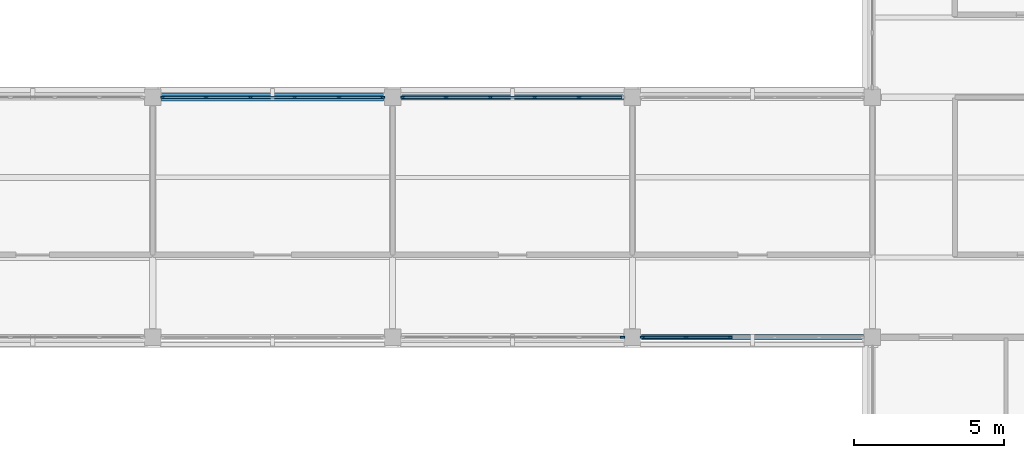
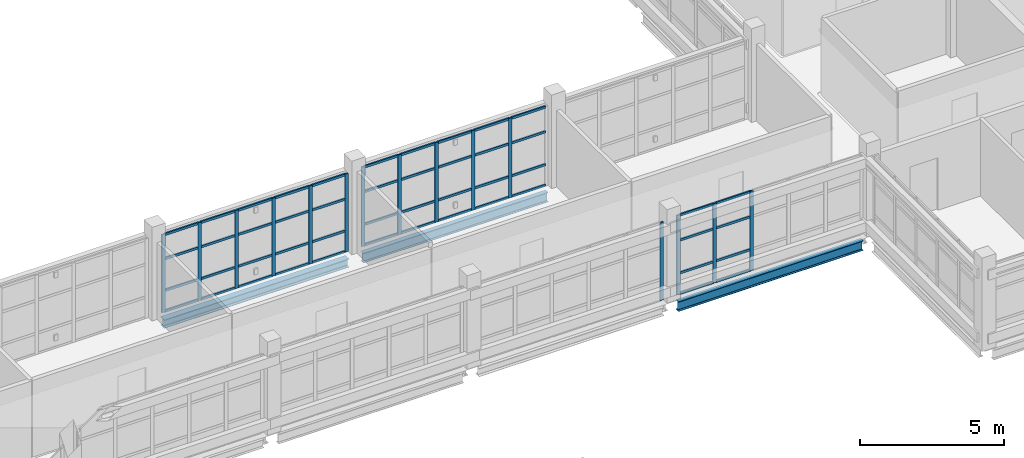
# One storey, part 15 of 107: 63 members, 3 beams, 4 elements without a shape of their own.
"""IFC4 building model written with IfcOpenShell, lengths in metres."""

from ifc_helpers import new_model, si_unit, derived_unit, direction, frame, origin, origin_2d, place, context, subcontext, project, spatial, rectangle, i_section, extrude, material, layer, layer_set, material_profile, profile_set, type_object, element, aggregate, save


model = new_model("IFC4")

# Units and contexts
model_context = context("Model", 3, precision=1e-05, world=origin(), true_north=direction((0.0, 1.0)))
body_context = subcontext(model_context, "Body", "Model", "MODEL_VIEW")
ifc_project = project(units=[si_unit("LENGTHUNIT", "METRE"), si_unit("AREAUNIT", "SQUARE_METRE"), si_unit("VOLUMEUNIT", "CUBIC_METRE"), si_unit("PLANEANGLEUNIT", "RADIAN"), si_unit("MASSUNIT", "GRAM", prefix="KILO"), derived_unit("THERMALTRANSMITTANCEUNIT", [(si_unit("MASSUNIT", "GRAM", prefix="KILO"), 1), (si_unit("TIMEUNIT", "SECOND"), -3), (si_unit("THERMODYNAMICTEMPERATUREUNIT", "KELVIN"), -1)])], contexts=[model_context])

# Site, building, storey
site_placement = place(None, origin())
site = spatial("IfcSite", under=ifc_project, at=site_placement, CompositionType="ELEMENT")
building_placement = place(site_placement, origin())
building = spatial("IfcBuilding", under=site, at=building_placement, Name="Veyamyaing Civic Hall", CompositionType="ELEMENT")
storey_placement = place(building_placement, frame((0.0, 0.0, 13.860107421875)))
storey = spatial("IfcBuildingStorey", under=building, at=storey_placement, Name="L03", CompositionType="ELEMENT", Elevation=13.860107421875)

# Beams
ifc_material_1 = material(Name="Steel ASTM A992", Category="steel")
ifc_material_profile_1 = material_profile(ifc_material_1, i_section(OverallWidth=0.179931640625, OverallDepth=0.4130859375, WebThickness=0.009765625, FlangeThickness=0.01611328125, FilletRadius=0.010009765625, at=origin_2d()), Name="W410X74")
ifc_profile_set_1 = profile_set([ifc_material_profile_1], Name="Steel ASTM A992")
beam_type_1 = type_object("IfcBeamType", Name="B-10", PredefinedType="SPANDREL", material=ifc_profile_set_1)
for number, where, z_axis, x_axis, name in (
    (1, (48.300048828125, 48.0, -0.461669921875), (1.0, 0.0, 0.0), (0.0, 1.0, 0.0), "Girder B-10 L03 Grid G 7-8"),
    (2, (40.300048828125, 56.0, -0.461669921875), (1.0, 0.0, 0.0), (0.0, 1.0, 0.0), "Girder B-10 L03 Grid H 6-7"),
):
    element("IfcBeam", number, at=place(storey_placement, frame(where, z_axis=z_axis, x_axis=x_axis)), inside=storey, type_object=beam_type_1, Name=name, PredefinedType="SPANDREL", context=body_context, shape_type="SweptSolid", body=[
        extrude(i_section(OverallWidth=0.179931640625, OverallDepth=0.4130859375, WebThickness=0.009765625, FlangeThickness=0.01611328125, FilletRadius=0.010009765625, at=origin_2d()), origin(), (0.0, 0.0, 1.0), 7.39990234375),
    ])
ifc_material_profile_2 = material_profile(ifc_material_1, i_section(OverallWidth=0.25390625, OverallDepth=0.35302734375, WebThickness=0.009521484375, FlangeThickness=0.016357421875, FilletRadius=0.011962890625, at=origin_2d()), Name="W360X91")
ifc_profile_set_2 = profile_set([ifc_material_profile_2], Name="Steel ASTM A992")
beam_type_2 = type_object("IfcBeamType", Name="B-20", PredefinedType="SPANDREL", material=ifc_profile_set_2)
beam_placement = place(storey_placement, frame((32.300048828125, 56.0, -0.431640625), z_axis=(1.0, 0.0, 0.0), x_axis=(0.0, 1.0, 0.0)))
element("IfcBeam", 3, at=beam_placement, inside=storey, type_object=beam_type_2, Name="Girder B-20 L03 Grid H 5-6", PredefinedType="SPANDREL", context=body_context, shape_type="SweptSolid", body=[
    extrude(i_section(OverallWidth=0.25390625, OverallDepth=0.35302734375, WebThickness=0.009521484375, FlangeThickness=0.016357421875, FilletRadius=0.011962890625, at=origin_2d()), origin(), (0.0, 0.0, 1.0), 7.39990234375),
])

# Curtain wall, members
ifc_material_2 = material(Name="Anodised aluminium 6063-T6", Category="aluminium")
ifc_layer = layer(ifc_material_2, 0.139892578125, Name="Anodised aluminium 6063-T6")
ifc_layer_set = layer_set([ifc_layer], Name="Anodised aluminium 6063-T6")
curtain_wall_type = type_object("IfcCurtainWallType", Name="CW-04", PredefinedType="NOTDEFINED", material=ifc_layer_set)
curtain_wall_1_placement = place(storey_placement, origin())
curtain_wall_1 = element("IfcCurtainWall", 4, at=curtain_wall_1_placement, inside=storey, type_object=curtain_wall_type, Name="Unitized curtain wall CW-04 L03 N 5.7", PredefinedType="NOTDEFINED")
ifc_material_profile_3 = material_profile(ifc_material_2, rectangle(XDim=0.06005859375, YDim=0.139892578125, at=origin_2d()), Name="ALU-MUL-60X140")
ifc_profile_set_3 = profile_set([ifc_material_profile_3], Name="Anodised aluminium 6063-T6")
member_type_1 = type_object("IfcMemberType", Name="CWM-03", PredefinedType="MULLION", material=ifc_profile_set_3)
member_1_placement = place(storey_placement, frame((32.3349609375, 56.0, 0.0), z_axis=(0.0, 0.0, 1.0), x_axis=(0.0, 1.0, 0.0)))
member_1 = element("IfcMember", 5, at=member_1_placement, type_object=member_type_1, Name="CW-04 mullion 1", PredefinedType="MULLION", context=body_context, shape_type="SweptSolid", body=[
    extrude(rectangle(XDim=0.06005859375, YDim=0.139892578125, at=origin_2d()), origin(), (0.0, 0.0, 1.0), 3.303955078125),
])
member_2_placement = place(storey_placement, frame((33.782958984375, 56.0, 0.0), z_axis=(0.0, 0.0, 1.0), x_axis=(0.0, 1.0, 0.0)))
member_2 = element("IfcMember", 6, at=member_2_placement, type_object=member_type_1, Name="CW-04 mullion 2", PredefinedType="MULLION", context=body_context, shape_type="SweptSolid", body=[
    extrude(rectangle(XDim=0.06005859375, YDim=0.139892578125, at=origin_2d()), origin(), (0.0, 0.0, 1.0), 3.303955078125),
])
member_3_placement = place(storey_placement, frame((35.260986328125, 56.0, 0.0), z_axis=(0.0, 0.0, 1.0), x_axis=(0.0, 1.0, 0.0)))
member_3 = element("IfcMember", 7, at=member_3_placement, type_object=member_type_1, Name="CW-04 mullion 3", PredefinedType="MULLION", context=body_context, shape_type="SweptSolid", body=[
    extrude(rectangle(XDim=0.06005859375, YDim=0.139892578125, at=origin_2d()), origin(), (0.0, 0.0, 1.0), 3.303955078125),
])
member_4_placement = place(storey_placement, frame((36.739013671875, 56.0, 0.0), z_axis=(0.0, 0.0, 1.0), x_axis=(0.0, 1.0, 0.0)))
member_4 = element("IfcMember", 8, at=member_4_placement, type_object=member_type_1, Name="CW-04 mullion 4", PredefinedType="MULLION", context=body_context, shape_type="SweptSolid", body=[
    extrude(rectangle(XDim=0.06005859375, YDim=0.139892578125, at=origin_2d()), origin(), (0.0, 0.0, 1.0), 3.303955078125),
])
member_5_placement = place(storey_placement, frame((38.217041015625, 56.0, 0.0), z_axis=(0.0, 0.0, 1.0), x_axis=(0.0, 1.0, 0.0)))
member_5 = element("IfcMember", 9, at=member_5_placement, type_object=member_type_1, Name="CW-04 mullion 5", PredefinedType="MULLION", context=body_context, shape_type="SweptSolid", body=[
    extrude(rectangle(XDim=0.06005859375, YDim=0.139892578125, at=origin_2d()), origin(), (0.0, 0.0, 1.0), 3.303955078125),
])
member_6_placement = place(storey_placement, frame((39.6650390625, 56.0, 0.0), z_axis=(0.0, 0.0, 1.0), x_axis=(0.0, 1.0, 0.0)))
member_6 = element("IfcMember", 10, at=member_6_placement, type_object=member_type_1, Name="CW-04 mullion 6", PredefinedType="MULLION", context=body_context, shape_type="SweptSolid", body=[
    extrude(rectangle(XDim=0.06005859375, YDim=0.139892578125, at=origin_2d()), origin(), (0.0, 0.0, 1.0), 3.303955078125),
])

# Curtain wall, member
curtain_wall_2_placement = place(storey_placement, origin())
curtain_wall_2 = element("IfcCurtainWall", 11, at=curtain_wall_2_placement, inside=storey, type_object=curtain_wall_type, Name="Unitized curtain wall CW-04 L03 S 6.7", PredefinedType="NOTDEFINED")
member_7_placement = place(storey_placement, frame((47.6650390625, 48.0, 0.0), z_axis=(0.0, 0.0, 1.0), x_axis=(0.0, 1.0, 0.0)))
member_7 = element("IfcMember", 12, at=member_7_placement, type_object=member_type_1, Name="CW-04 mullion 6", PredefinedType="MULLION", context=body_context, shape_type="SweptSolid", body=[
    extrude(rectangle(XDim=0.06005859375, YDim=0.139892578125, at=origin_2d()), origin(), (0.0, 0.0, 1.0), 3.303955078125),
])
aggregate(curtain_wall_2, [member_7])

# Curtain wall, members
curtain_wall_3_placement = place(storey_placement, origin())
curtain_wall_3 = element("IfcCurtainWall", 13, at=curtain_wall_3_placement, inside=storey, type_object=curtain_wall_type, Name="Unitized curtain wall CW-04 L03 N 6.7", PredefinedType="NOTDEFINED")
member_8_placement = place(storey_placement, frame((40.3349609375, 56.0, 0.0), z_axis=(0.0, 0.0, 1.0), x_axis=(0.0, 1.0, 0.0)))
member_8 = element("IfcMember", 14, at=member_8_placement, type_object=member_type_1, Name="CW-04 mullion 1", PredefinedType="MULLION", context=body_context, shape_type="SweptSolid", body=[
    extrude(rectangle(XDim=0.06005859375, YDim=0.139892578125, at=origin_2d()), origin(), (0.0, 0.0, 1.0), 3.366943359375),
])
member_9_placement = place(storey_placement, frame((41.782958984375, 56.0, 0.0), z_axis=(0.0, 0.0, 1.0), x_axis=(0.0, 1.0, 0.0)))
member_9 = element("IfcMember", 15, at=member_9_placement, type_object=member_type_1, Name="CW-04 mullion 2", PredefinedType="MULLION", context=body_context, shape_type="SweptSolid", body=[
    extrude(rectangle(XDim=0.06005859375, YDim=0.139892578125, at=origin_2d()), origin(), (0.0, 0.0, 1.0), 3.366943359375),
])
member_10_placement = place(storey_placement, frame((43.260986328125, 56.0, 0.0), z_axis=(0.0, 0.0, 1.0), x_axis=(0.0, 1.0, 0.0)))
member_10 = element("IfcMember", 16, at=member_10_placement, type_object=member_type_1, Name="CW-04 mullion 3", PredefinedType="MULLION", context=body_context, shape_type="SweptSolid", body=[
    extrude(rectangle(XDim=0.06005859375, YDim=0.139892578125, at=origin_2d()), origin(), (0.0, 0.0, 1.0), 3.366943359375),
])
member_11_placement = place(storey_placement, frame((44.739013671875, 56.0, 0.0), z_axis=(0.0, 0.0, 1.0), x_axis=(0.0, 1.0, 0.0)))
member_11 = element("IfcMember", 17, at=member_11_placement, type_object=member_type_1, Name="CW-04 mullion 4", PredefinedType="MULLION", context=body_context, shape_type="SweptSolid", body=[
    extrude(rectangle(XDim=0.06005859375, YDim=0.139892578125, at=origin_2d()), origin(), (0.0, 0.0, 1.0), 3.366943359375),
])
member_12_placement = place(storey_placement, frame((46.217041015625, 56.0, 0.0), z_axis=(0.0, 0.0, 1.0), x_axis=(0.0, 1.0, 0.0)))
member_12 = element("IfcMember", 18, at=member_12_placement, type_object=member_type_1, Name="CW-04 mullion 5", PredefinedType="MULLION", context=body_context, shape_type="SweptSolid", body=[
    extrude(rectangle(XDim=0.06005859375, YDim=0.139892578125, at=origin_2d()), origin(), (0.0, 0.0, 1.0), 3.366943359375),
])

curtain_wall_4_placement = place(storey_placement, origin())
curtain_wall_4 = element("IfcCurtainWall", 19, at=curtain_wall_4_placement, inside=storey, type_object=curtain_wall_type, Name="Unitized curtain wall CW-04 L03 S 7.7", PredefinedType="NOTDEFINED")
member_13_placement = place(storey_placement, frame((48.3349609375, 48.0, 0.0), z_axis=(0.0, 0.0, 1.0), x_axis=(0.0, 1.0, 0.0)))
member_13 = element("IfcMember", 20, at=member_13_placement, type_object=member_type_1, Name="CW-04 mullion 1", PredefinedType="MULLION", context=body_context, shape_type="SweptSolid", body=[
    extrude(rectangle(XDim=0.06005859375, YDim=0.139892578125, at=origin_2d()), origin(), (0.0, 0.0, 1.0), 3.366943359375),
])
member_14_placement = place(storey_placement, frame((49.782958984375, 48.0, 0.0), z_axis=(0.0, 0.0, 1.0), x_axis=(0.0, 1.0, 0.0)))
member_14 = element("IfcMember", 21, at=member_14_placement, type_object=member_type_1, Name="CW-04 mullion 2", PredefinedType="MULLION", context=body_context, shape_type="SweptSolid", body=[
    extrude(rectangle(XDim=0.06005859375, YDim=0.139892578125, at=origin_2d()), origin(), (0.0, 0.0, 1.0), 3.366943359375),
])
member_15_placement = place(storey_placement, frame((51.260986328125, 48.0, 0.0), z_axis=(0.0, 0.0, 1.0), x_axis=(0.0, 1.0, 0.0)))
member_15 = element("IfcMember", 22, at=member_15_placement, type_object=member_type_1, Name="CW-04 mullion 3", PredefinedType="MULLION", context=body_context, shape_type="SweptSolid", body=[
    extrude(rectangle(XDim=0.06005859375, YDim=0.139892578125, at=origin_2d()), origin(), (0.0, 0.0, 1.0), 3.366943359375),
])

# Member
ifc_material_profile_4 = material_profile(ifc_material_2, rectangle(XDim=0.06005859375, YDim=0.10009765625, at=origin_2d()), Name="ALU-TRN-60X100")
ifc_profile_set_4 = profile_set([ifc_material_profile_4], Name="Anodised aluminium 6063-T6")
member_type_2 = type_object("IfcMemberType", Name="CWT-03", PredefinedType="USERDEFINED", material=ifc_profile_set_4)
member_16_placement = place(storey_placement, frame((32.364990234375, 56.0, 0.02978515625), z_axis=(1.0, 0.0, 0.0), x_axis=(0.0, 1.0, 0.0)))
member_16 = element("IfcMember", 23, at=member_16_placement, type_object=member_type_2, Name="CW-04 transom 1.1", ObjectType="TRANSOM", PredefinedType="USERDEFINED", context=body_context, shape_type="SweptSolid", body=[
    extrude(rectangle(XDim=0.06005859375, YDim=0.10009765625, at=origin_2d()), origin(), (0.0, 0.0, 1.0), 1.387939453125),
])

member_17_placement = place(storey_placement, frame((32.364990234375, 56.0, 0.89990234375), z_axis=(1.0, 0.0, 0.0), x_axis=(0.0, 1.0, 0.0)))
member_17 = element("IfcMember", 24, at=member_17_placement, type_object=member_type_2, Name="CW-04 transom 1.2", ObjectType="TRANSOM", PredefinedType="USERDEFINED", context=body_context, shape_type="SweptSolid", body=[
    extrude(rectangle(XDim=0.06005859375, YDim=0.10009765625, at=origin_2d()), origin(), (0.0, 0.0, 1.0), 1.387939453125),
])

member_18_placement = place(storey_placement, frame((32.364990234375, 56.0, 2.24658203125), z_axis=(1.0, 0.0, 0.0), x_axis=(0.0, 1.0, 0.0)))
member_18 = element("IfcMember", 25, at=member_18_placement, type_object=member_type_2, Name="CW-04 transom 1.3", ObjectType="TRANSOM", PredefinedType="USERDEFINED", context=body_context, shape_type="SweptSolid", body=[
    extrude(rectangle(XDim=0.06005859375, YDim=0.10009765625, at=origin_2d()), origin(), (0.0, 0.0, 1.0), 1.387939453125),
])

member_19_placement = place(storey_placement, frame((32.364990234375, 56.0, 3.27392578125), z_axis=(1.0, 0.0, 0.0), x_axis=(0.0, 1.0, 0.0)))
member_19 = element("IfcMember", 26, at=member_19_placement, type_object=member_type_2, Name="CW-04 transom 1.4", ObjectType="TRANSOM", PredefinedType="USERDEFINED", context=body_context, shape_type="SweptSolid", body=[
    extrude(rectangle(XDim=0.06005859375, YDim=0.10009765625, at=origin_2d()), origin(), (0.0, 0.0, 1.0), 1.387939453125),
])

member_20_placement = place(storey_placement, frame((33.81298828125, 56.0, 0.02978515625), z_axis=(1.0, 0.0, 0.0), x_axis=(0.0, 1.0, 0.0)))
member_20 = element("IfcMember", 27, at=member_20_placement, type_object=member_type_2, Name="CW-04 transom 2.1", ObjectType="TRANSOM", PredefinedType="USERDEFINED", context=body_context, shape_type="SweptSolid", body=[
    extrude(rectangle(XDim=0.06005859375, YDim=0.10009765625, at=origin_2d()), origin(), (0.0, 0.0, 1.0), 1.41796875),
])

member_21_placement = place(storey_placement, frame((33.81298828125, 56.0, 0.89990234375), z_axis=(1.0, 0.0, 0.0), x_axis=(0.0, 1.0, 0.0)))
member_21 = element("IfcMember", 28, at=member_21_placement, type_object=member_type_2, Name="CW-04 transom 2.2", ObjectType="TRANSOM", PredefinedType="USERDEFINED", context=body_context, shape_type="SweptSolid", body=[
    extrude(rectangle(XDim=0.06005859375, YDim=0.10009765625, at=origin_2d()), origin(), (0.0, 0.0, 1.0), 1.41796875),
])

member_22_placement = place(storey_placement, frame((33.81298828125, 56.0, 2.24658203125), z_axis=(1.0, 0.0, 0.0), x_axis=(0.0, 1.0, 0.0)))
member_22 = element("IfcMember", 29, at=member_22_placement, type_object=member_type_2, Name="CW-04 transom 2.3", ObjectType="TRANSOM", PredefinedType="USERDEFINED", context=body_context, shape_type="SweptSolid", body=[
    extrude(rectangle(XDim=0.06005859375, YDim=0.10009765625, at=origin_2d()), origin(), (0.0, 0.0, 1.0), 1.41796875),
])

member_23_placement = place(storey_placement, frame((33.81298828125, 56.0, 3.27392578125), z_axis=(1.0, 0.0, 0.0), x_axis=(0.0, 1.0, 0.0)))
member_23 = element("IfcMember", 30, at=member_23_placement, type_object=member_type_2, Name="CW-04 transom 2.4", ObjectType="TRANSOM", PredefinedType="USERDEFINED", context=body_context, shape_type="SweptSolid", body=[
    extrude(rectangle(XDim=0.06005859375, YDim=0.10009765625, at=origin_2d()), origin(), (0.0, 0.0, 1.0), 1.41796875),
])

member_24_placement = place(storey_placement, frame((35.291015625, 56.0, 0.02978515625), z_axis=(1.0, 0.0, 0.0), x_axis=(0.0, 1.0, 0.0)))
member_24 = element("IfcMember", 31, at=member_24_placement, type_object=member_type_2, Name="CW-04 transom 3.1", ObjectType="TRANSOM", PredefinedType="USERDEFINED", context=body_context, shape_type="SweptSolid", body=[
    extrude(rectangle(XDim=0.06005859375, YDim=0.10009765625, at=origin_2d()), origin(), (0.0, 0.0, 1.0), 1.41796875),
])

member_25_placement = place(storey_placement, frame((35.291015625, 56.0, 0.89990234375), z_axis=(1.0, 0.0, 0.0), x_axis=(0.0, 1.0, 0.0)))
member_25 = element("IfcMember", 32, at=member_25_placement, type_object=member_type_2, Name="CW-04 transom 3.2", ObjectType="TRANSOM", PredefinedType="USERDEFINED", context=body_context, shape_type="SweptSolid", body=[
    extrude(rectangle(XDim=0.06005859375, YDim=0.10009765625, at=origin_2d()), origin(), (0.0, 0.0, 1.0), 1.41796875),
])

member_26_placement = place(storey_placement, frame((35.291015625, 56.0, 2.24658203125), z_axis=(1.0, 0.0, 0.0), x_axis=(0.0, 1.0, 0.0)))
member_26 = element("IfcMember", 33, at=member_26_placement, type_object=member_type_2, Name="CW-04 transom 3.3", ObjectType="TRANSOM", PredefinedType="USERDEFINED", context=body_context, shape_type="SweptSolid", body=[
    extrude(rectangle(XDim=0.06005859375, YDim=0.10009765625, at=origin_2d()), origin(), (0.0, 0.0, 1.0), 1.41796875),
])

member_27_placement = place(storey_placement, frame((35.291015625, 56.0, 3.27392578125), z_axis=(1.0, 0.0, 0.0), x_axis=(0.0, 1.0, 0.0)))
member_27 = element("IfcMember", 34, at=member_27_placement, type_object=member_type_2, Name="CW-04 transom 3.4", ObjectType="TRANSOM", PredefinedType="USERDEFINED", context=body_context, shape_type="SweptSolid", body=[
    extrude(rectangle(XDim=0.06005859375, YDim=0.10009765625, at=origin_2d()), origin(), (0.0, 0.0, 1.0), 1.41796875),
])

member_28_placement = place(storey_placement, frame((36.76904296875, 56.0, 0.02978515625), z_axis=(1.0, 0.0, 0.0), x_axis=(0.0, 1.0, 0.0)))
member_28 = element("IfcMember", 35, at=member_28_placement, type_object=member_type_2, Name="CW-04 transom 4.1", ObjectType="TRANSOM", PredefinedType="USERDEFINED", context=body_context, shape_type="SweptSolid", body=[
    extrude(rectangle(XDim=0.06005859375, YDim=0.10009765625, at=origin_2d()), origin(), (0.0, 0.0, 1.0), 1.41796875),
])

member_29_placement = place(storey_placement, frame((36.76904296875, 56.0, 0.89990234375), z_axis=(1.0, 0.0, 0.0), x_axis=(0.0, 1.0, 0.0)))
member_29 = element("IfcMember", 36, at=member_29_placement, type_object=member_type_2, Name="CW-04 transom 4.2", ObjectType="TRANSOM", PredefinedType="USERDEFINED", context=body_context, shape_type="SweptSolid", body=[
    extrude(rectangle(XDim=0.06005859375, YDim=0.10009765625, at=origin_2d()), origin(), (0.0, 0.0, 1.0), 1.41796875),
])

member_30_placement = place(storey_placement, frame((36.76904296875, 56.0, 2.24658203125), z_axis=(1.0, 0.0, 0.0), x_axis=(0.0, 1.0, 0.0)))
member_30 = element("IfcMember", 37, at=member_30_placement, type_object=member_type_2, Name="CW-04 transom 4.3", ObjectType="TRANSOM", PredefinedType="USERDEFINED", context=body_context, shape_type="SweptSolid", body=[
    extrude(rectangle(XDim=0.06005859375, YDim=0.10009765625, at=origin_2d()), origin(), (0.0, 0.0, 1.0), 1.41796875),
])

member_31_placement = place(storey_placement, frame((36.76904296875, 56.0, 3.27392578125), z_axis=(1.0, 0.0, 0.0), x_axis=(0.0, 1.0, 0.0)))
member_31 = element("IfcMember", 38, at=member_31_placement, type_object=member_type_2, Name="CW-04 transom 4.4", ObjectType="TRANSOM", PredefinedType="USERDEFINED", context=body_context, shape_type="SweptSolid", body=[
    extrude(rectangle(XDim=0.06005859375, YDim=0.10009765625, at=origin_2d()), origin(), (0.0, 0.0, 1.0), 1.41796875),
])

member_32_placement = place(storey_placement, frame((38.2470703125, 56.0, 0.02978515625), z_axis=(1.0, 0.0, 0.0), x_axis=(0.0, 1.0, 0.0)))
member_32 = element("IfcMember", 39, at=member_32_placement, type_object=member_type_2, Name="CW-04 transom 5.1", ObjectType="TRANSOM", PredefinedType="USERDEFINED", context=body_context, shape_type="SweptSolid", body=[
    extrude(rectangle(XDim=0.06005859375, YDim=0.10009765625, at=origin_2d()), origin(), (0.0, 0.0, 1.0), 1.387939453125),
])

member_33_placement = place(storey_placement, frame((38.2470703125, 56.0, 0.89990234375), z_axis=(1.0, 0.0, 0.0), x_axis=(0.0, 1.0, 0.0)))
member_33 = element("IfcMember", 40, at=member_33_placement, type_object=member_type_2, Name="CW-04 transom 5.2", ObjectType="TRANSOM", PredefinedType="USERDEFINED", context=body_context, shape_type="SweptSolid", body=[
    extrude(rectangle(XDim=0.06005859375, YDim=0.10009765625, at=origin_2d()), origin(), (0.0, 0.0, 1.0), 1.387939453125),
])

member_34_placement = place(storey_placement, frame((38.2470703125, 56.0, 2.24658203125), z_axis=(1.0, 0.0, 0.0), x_axis=(0.0, 1.0, 0.0)))
member_34 = element("IfcMember", 41, at=member_34_placement, type_object=member_type_2, Name="CW-04 transom 5.3", ObjectType="TRANSOM", PredefinedType="USERDEFINED", context=body_context, shape_type="SweptSolid", body=[
    extrude(rectangle(XDim=0.06005859375, YDim=0.10009765625, at=origin_2d()), origin(), (0.0, 0.0, 1.0), 1.387939453125),
])

member_35_placement = place(storey_placement, frame((38.2470703125, 56.0, 3.27392578125), z_axis=(1.0, 0.0, 0.0), x_axis=(0.0, 1.0, 0.0)))
member_35 = element("IfcMember", 42, at=member_35_placement, type_object=member_type_2, Name="CW-04 transom 5.4", ObjectType="TRANSOM", PredefinedType="USERDEFINED", context=body_context, shape_type="SweptSolid", body=[
    extrude(rectangle(XDim=0.06005859375, YDim=0.10009765625, at=origin_2d()), origin(), (0.0, 0.0, 1.0), 1.387939453125),
])

aggregate(curtain_wall_1, [member_1, member_2, member_3, member_4, member_5, member_6, member_16, member_17, member_18, member_19, member_20, member_21, member_22, member_23, member_24, member_25, member_26, member_27, member_28, member_29, member_30, member_31, member_32, member_33, member_34, member_35])

member_36_placement = place(storey_placement, frame((40.364990234375, 56.0, 0.02978515625), z_axis=(1.0, 0.0, 0.0), x_axis=(0.0, 1.0, 0.0)))
member_36 = element("IfcMember", 43, at=member_36_placement, type_object=member_type_2, Name="CW-04 transom 1.1", ObjectType="TRANSOM", PredefinedType="USERDEFINED", context=body_context, shape_type="SweptSolid", body=[
    extrude(rectangle(XDim=0.06005859375, YDim=0.10009765625, at=origin_2d()), origin(), (0.0, 0.0, 1.0), 1.387939453125),
])

member_37_placement = place(storey_placement, frame((40.364990234375, 56.0, 0.89990234375), z_axis=(1.0, 0.0, 0.0), x_axis=(0.0, 1.0, 0.0)))
member_37 = element("IfcMember", 44, at=member_37_placement, type_object=member_type_2, Name="CW-04 transom 1.2", ObjectType="TRANSOM", PredefinedType="USERDEFINED", context=body_context, shape_type="SweptSolid", body=[
    extrude(rectangle(XDim=0.06005859375, YDim=0.10009765625, at=origin_2d()), origin(), (0.0, 0.0, 1.0), 1.387939453125),
])

member_38_placement = place(storey_placement, frame((40.364990234375, 56.0, 2.28955078125), z_axis=(1.0, 0.0, 0.0), x_axis=(0.0, 1.0, 0.0)))
member_38 = element("IfcMember", 45, at=member_38_placement, type_object=member_type_2, Name="CW-04 transom 1.3", ObjectType="TRANSOM", PredefinedType="USERDEFINED", context=body_context, shape_type="SweptSolid", body=[
    extrude(rectangle(XDim=0.06005859375, YDim=0.10009765625, at=origin_2d()), origin(), (0.0, 0.0, 1.0), 1.387939453125),
])

member_39_placement = place(storey_placement, frame((40.364990234375, 56.0, 3.3369140625), z_axis=(1.0, 0.0, 0.0), x_axis=(0.0, 1.0, 0.0)))
member_39 = element("IfcMember", 46, at=member_39_placement, type_object=member_type_2, Name="CW-04 transom 1.4", ObjectType="TRANSOM", PredefinedType="USERDEFINED", context=body_context, shape_type="SweptSolid", body=[
    extrude(rectangle(XDim=0.06005859375, YDim=0.10009765625, at=origin_2d()), origin(), (0.0, 0.0, 1.0), 1.387939453125),
])

member_40_placement = place(storey_placement, frame((41.81298828125, 56.0, 0.02978515625), z_axis=(1.0, 0.0, 0.0), x_axis=(0.0, 1.0, 0.0)))
member_40 = element("IfcMember", 47, at=member_40_placement, type_object=member_type_2, Name="CW-04 transom 2.1", ObjectType="TRANSOM", PredefinedType="USERDEFINED", context=body_context, shape_type="SweptSolid", body=[
    extrude(rectangle(XDim=0.06005859375, YDim=0.10009765625, at=origin_2d()), origin(), (0.0, 0.0, 1.0), 1.41796875),
])

member_41_placement = place(storey_placement, frame((41.81298828125, 56.0, 0.89990234375), z_axis=(1.0, 0.0, 0.0), x_axis=(0.0, 1.0, 0.0)))
member_41 = element("IfcMember", 48, at=member_41_placement, type_object=member_type_2, Name="CW-04 transom 2.2", ObjectType="TRANSOM", PredefinedType="USERDEFINED", context=body_context, shape_type="SweptSolid", body=[
    extrude(rectangle(XDim=0.06005859375, YDim=0.10009765625, at=origin_2d()), origin(), (0.0, 0.0, 1.0), 1.41796875),
])

member_42_placement = place(storey_placement, frame((41.81298828125, 56.0, 2.28955078125), z_axis=(1.0, 0.0, 0.0), x_axis=(0.0, 1.0, 0.0)))
member_42 = element("IfcMember", 49, at=member_42_placement, type_object=member_type_2, Name="CW-04 transom 2.3", ObjectType="TRANSOM", PredefinedType="USERDEFINED", context=body_context, shape_type="SweptSolid", body=[
    extrude(rectangle(XDim=0.06005859375, YDim=0.10009765625, at=origin_2d()), origin(), (0.0, 0.0, 1.0), 1.41796875),
])

member_43_placement = place(storey_placement, frame((41.81298828125, 56.0, 3.3369140625), z_axis=(1.0, 0.0, 0.0), x_axis=(0.0, 1.0, 0.0)))
member_43 = element("IfcMember", 50, at=member_43_placement, type_object=member_type_2, Name="CW-04 transom 2.4", ObjectType="TRANSOM", PredefinedType="USERDEFINED", context=body_context, shape_type="SweptSolid", body=[
    extrude(rectangle(XDim=0.06005859375, YDim=0.10009765625, at=origin_2d()), origin(), (0.0, 0.0, 1.0), 1.41796875),
])

member_44_placement = place(storey_placement, frame((43.291015625, 56.0, 0.02978515625), z_axis=(1.0, 0.0, 0.0), x_axis=(0.0, 1.0, 0.0)))
member_44 = element("IfcMember", 51, at=member_44_placement, type_object=member_type_2, Name="CW-04 transom 3.1", ObjectType="TRANSOM", PredefinedType="USERDEFINED", context=body_context, shape_type="SweptSolid", body=[
    extrude(rectangle(XDim=0.06005859375, YDim=0.10009765625, at=origin_2d()), origin(), (0.0, 0.0, 1.0), 1.41796875),
])

member_45_placement = place(storey_placement, frame((43.291015625, 56.0, 0.89990234375), z_axis=(1.0, 0.0, 0.0), x_axis=(0.0, 1.0, 0.0)))
member_45 = element("IfcMember", 52, at=member_45_placement, type_object=member_type_2, Name="CW-04 transom 3.2", ObjectType="TRANSOM", PredefinedType="USERDEFINED", context=body_context, shape_type="SweptSolid", body=[
    extrude(rectangle(XDim=0.06005859375, YDim=0.10009765625, at=origin_2d()), origin(), (0.0, 0.0, 1.0), 1.41796875),
])

member_46_placement = place(storey_placement, frame((43.291015625, 56.0, 2.28955078125), z_axis=(1.0, 0.0, 0.0), x_axis=(0.0, 1.0, 0.0)))
member_46 = element("IfcMember", 53, at=member_46_placement, type_object=member_type_2, Name="CW-04 transom 3.3", ObjectType="TRANSOM", PredefinedType="USERDEFINED", context=body_context, shape_type="SweptSolid", body=[
    extrude(rectangle(XDim=0.06005859375, YDim=0.10009765625, at=origin_2d()), origin(), (0.0, 0.0, 1.0), 1.41796875),
])

member_47_placement = place(storey_placement, frame((43.291015625, 56.0, 3.3369140625), z_axis=(1.0, 0.0, 0.0), x_axis=(0.0, 1.0, 0.0)))
member_47 = element("IfcMember", 54, at=member_47_placement, type_object=member_type_2, Name="CW-04 transom 3.4", ObjectType="TRANSOM", PredefinedType="USERDEFINED", context=body_context, shape_type="SweptSolid", body=[
    extrude(rectangle(XDim=0.06005859375, YDim=0.10009765625, at=origin_2d()), origin(), (0.0, 0.0, 1.0), 1.41796875),
])

member_48_placement = place(storey_placement, frame((44.76904296875, 56.0, 0.02978515625), z_axis=(1.0, 0.0, 0.0), x_axis=(0.0, 1.0, 0.0)))
member_48 = element("IfcMember", 55, at=member_48_placement, type_object=member_type_2, Name="CW-04 transom 4.1", ObjectType="TRANSOM", PredefinedType="USERDEFINED", context=body_context, shape_type="SweptSolid", body=[
    extrude(rectangle(XDim=0.06005859375, YDim=0.10009765625, at=origin_2d()), origin(), (0.0, 0.0, 1.0), 1.41796875),
])

member_49_placement = place(storey_placement, frame((44.76904296875, 56.0, 0.89990234375), z_axis=(1.0, 0.0, 0.0), x_axis=(0.0, 1.0, 0.0)))
member_49 = element("IfcMember", 56, at=member_49_placement, type_object=member_type_2, Name="CW-04 transom 4.2", ObjectType="TRANSOM", PredefinedType="USERDEFINED", context=body_context, shape_type="SweptSolid", body=[
    extrude(rectangle(XDim=0.06005859375, YDim=0.10009765625, at=origin_2d()), origin(), (0.0, 0.0, 1.0), 1.41796875),
])

member_50_placement = place(storey_placement, frame((44.76904296875, 56.0, 2.28955078125), z_axis=(1.0, 0.0, 0.0), x_axis=(0.0, 1.0, 0.0)))
member_50 = element("IfcMember", 57, at=member_50_placement, type_object=member_type_2, Name="CW-04 transom 4.3", ObjectType="TRANSOM", PredefinedType="USERDEFINED", context=body_context, shape_type="SweptSolid", body=[
    extrude(rectangle(XDim=0.06005859375, YDim=0.10009765625, at=origin_2d()), origin(), (0.0, 0.0, 1.0), 1.41796875),
])

member_51_placement = place(storey_placement, frame((44.76904296875, 56.0, 3.3369140625), z_axis=(1.0, 0.0, 0.0), x_axis=(0.0, 1.0, 0.0)))
member_51 = element("IfcMember", 58, at=member_51_placement, type_object=member_type_2, Name="CW-04 transom 4.4", ObjectType="TRANSOM", PredefinedType="USERDEFINED", context=body_context, shape_type="SweptSolid", body=[
    extrude(rectangle(XDim=0.06005859375, YDim=0.10009765625, at=origin_2d()), origin(), (0.0, 0.0, 1.0), 1.41796875),
])

member_52_placement = place(storey_placement, frame((46.2470703125, 56.0, 0.02978515625), z_axis=(1.0, 0.0, 0.0), x_axis=(0.0, 1.0, 0.0)))
member_52 = element("IfcMember", 59, at=member_52_placement, type_object=member_type_2, Name="CW-04 transom 5.1", ObjectType="TRANSOM", PredefinedType="USERDEFINED", context=body_context, shape_type="SweptSolid", body=[
    extrude(rectangle(XDim=0.06005859375, YDim=0.10009765625, at=origin_2d()), origin(), (0.0, 0.0, 1.0), 1.387939453125),
])

member_53_placement = place(storey_placement, frame((46.2470703125, 56.0, 0.89990234375), z_axis=(1.0, 0.0, 0.0), x_axis=(0.0, 1.0, 0.0)))
member_53 = element("IfcMember", 60, at=member_53_placement, type_object=member_type_2, Name="CW-04 transom 5.2", ObjectType="TRANSOM", PredefinedType="USERDEFINED", context=body_context, shape_type="SweptSolid", body=[
    extrude(rectangle(XDim=0.06005859375, YDim=0.10009765625, at=origin_2d()), origin(), (0.0, 0.0, 1.0), 1.387939453125),
])

member_54_placement = place(storey_placement, frame((46.2470703125, 56.0, 2.28955078125), z_axis=(1.0, 0.0, 0.0), x_axis=(0.0, 1.0, 0.0)))
member_54 = element("IfcMember", 61, at=member_54_placement, type_object=member_type_2, Name="CW-04 transom 5.3", ObjectType="TRANSOM", PredefinedType="USERDEFINED", context=body_context, shape_type="SweptSolid", body=[
    extrude(rectangle(XDim=0.06005859375, YDim=0.10009765625, at=origin_2d()), origin(), (0.0, 0.0, 1.0), 1.387939453125),
])

member_55_placement = place(storey_placement, frame((46.2470703125, 56.0, 3.3369140625), z_axis=(1.0, 0.0, 0.0), x_axis=(0.0, 1.0, 0.0)))
member_55 = element("IfcMember", 62, at=member_55_placement, type_object=member_type_2, Name="CW-04 transom 5.4", ObjectType="TRANSOM", PredefinedType="USERDEFINED", context=body_context, shape_type="SweptSolid", body=[
    extrude(rectangle(XDim=0.06005859375, YDim=0.10009765625, at=origin_2d()), origin(), (0.0, 0.0, 1.0), 1.387939453125),
])

aggregate(curtain_wall_3, [member_8, member_9, member_10, member_11, member_12, member_36, member_37, member_38, member_39, member_40, member_41, member_42, member_43, member_44, member_45, member_46, member_47, member_48, member_49, member_50, member_51, member_52, member_53, member_54, member_55])

member_56_placement = place(storey_placement, frame((48.364990234375, 48.0, 0.02978515625), z_axis=(1.0, 0.0, 0.0), x_axis=(0.0, 1.0, 0.0)))
member_56 = element("IfcMember", 63, at=member_56_placement, type_object=member_type_2, Name="CW-04 transom 1.1", ObjectType="TRANSOM", PredefinedType="USERDEFINED", context=body_context, shape_type="SweptSolid", body=[
    extrude(rectangle(XDim=0.06005859375, YDim=0.10009765625, at=origin_2d()), origin(), (0.0, 0.0, 1.0), 1.387939453125),
])

member_57_placement = place(storey_placement, frame((48.364990234375, 48.0, 0.89990234375), z_axis=(1.0, 0.0, 0.0), x_axis=(0.0, 1.0, 0.0)))
member_57 = element("IfcMember", 64, at=member_57_placement, type_object=member_type_2, Name="CW-04 transom 1.2", ObjectType="TRANSOM", PredefinedType="USERDEFINED", context=body_context, shape_type="SweptSolid", body=[
    extrude(rectangle(XDim=0.06005859375, YDim=0.10009765625, at=origin_2d()), origin(), (0.0, 0.0, 1.0), 1.387939453125),
])

member_58_placement = place(storey_placement, frame((48.364990234375, 48.0, 2.28955078125), z_axis=(1.0, 0.0, 0.0), x_axis=(0.0, 1.0, 0.0)))
member_58 = element("IfcMember", 65, at=member_58_placement, type_object=member_type_2, Name="CW-04 transom 1.3", ObjectType="TRANSOM", PredefinedType="USERDEFINED", context=body_context, shape_type="SweptSolid", body=[
    extrude(rectangle(XDim=0.06005859375, YDim=0.10009765625, at=origin_2d()), origin(), (0.0, 0.0, 1.0), 1.387939453125),
])

member_59_placement = place(storey_placement, frame((48.364990234375, 48.0, 3.3369140625), z_axis=(1.0, 0.0, 0.0), x_axis=(0.0, 1.0, 0.0)))
member_59 = element("IfcMember", 66, at=member_59_placement, type_object=member_type_2, Name="CW-04 transom 1.4", ObjectType="TRANSOM", PredefinedType="USERDEFINED", context=body_context, shape_type="SweptSolid", body=[
    extrude(rectangle(XDim=0.06005859375, YDim=0.10009765625, at=origin_2d()), origin(), (0.0, 0.0, 1.0), 1.387939453125),
])

member_60_placement = place(storey_placement, frame((49.81298828125, 48.0, 0.02978515625), z_axis=(1.0, 0.0, 0.0), x_axis=(0.0, 1.0, 0.0)))
member_60 = element("IfcMember", 67, at=member_60_placement, type_object=member_type_2, Name="CW-04 transom 2.1", ObjectType="TRANSOM", PredefinedType="USERDEFINED", context=body_context, shape_type="SweptSolid", body=[
    extrude(rectangle(XDim=0.06005859375, YDim=0.10009765625, at=origin_2d()), origin(), (0.0, 0.0, 1.0), 1.41796875),
])

member_61_placement = place(storey_placement, frame((49.81298828125, 48.0, 0.89990234375), z_axis=(1.0, 0.0, 0.0), x_axis=(0.0, 1.0, 0.0)))
member_61 = element("IfcMember", 68, at=member_61_placement, type_object=member_type_2, Name="CW-04 transom 2.2", ObjectType="TRANSOM", PredefinedType="USERDEFINED", context=body_context, shape_type="SweptSolid", body=[
    extrude(rectangle(XDim=0.06005859375, YDim=0.10009765625, at=origin_2d()), origin(), (0.0, 0.0, 1.0), 1.41796875),
])

member_62_placement = place(storey_placement, frame((49.81298828125, 48.0, 2.28955078125), z_axis=(1.0, 0.0, 0.0), x_axis=(0.0, 1.0, 0.0)))
member_62 = element("IfcMember", 69, at=member_62_placement, type_object=member_type_2, Name="CW-04 transom 2.3", ObjectType="TRANSOM", PredefinedType="USERDEFINED", context=body_context, shape_type="SweptSolid", body=[
    extrude(rectangle(XDim=0.06005859375, YDim=0.10009765625, at=origin_2d()), origin(), (0.0, 0.0, 1.0), 1.41796875),
])

member_63_placement = place(storey_placement, frame((49.81298828125, 48.0, 3.3369140625), z_axis=(1.0, 0.0, 0.0), x_axis=(0.0, 1.0, 0.0)))
member_63 = element("IfcMember", 70, at=member_63_placement, type_object=member_type_2, Name="CW-04 transom 2.4", ObjectType="TRANSOM", PredefinedType="USERDEFINED", context=body_context, shape_type="SweptSolid", body=[
    extrude(rectangle(XDim=0.06005859375, YDim=0.10009765625, at=origin_2d()), origin(), (0.0, 0.0, 1.0), 1.41796875),
])

aggregate(curtain_wall_4, [member_13, member_14, member_15, member_56, member_57, member_58, member_59, member_60, member_61, member_62, member_63])

save(model, "model.ifc")
